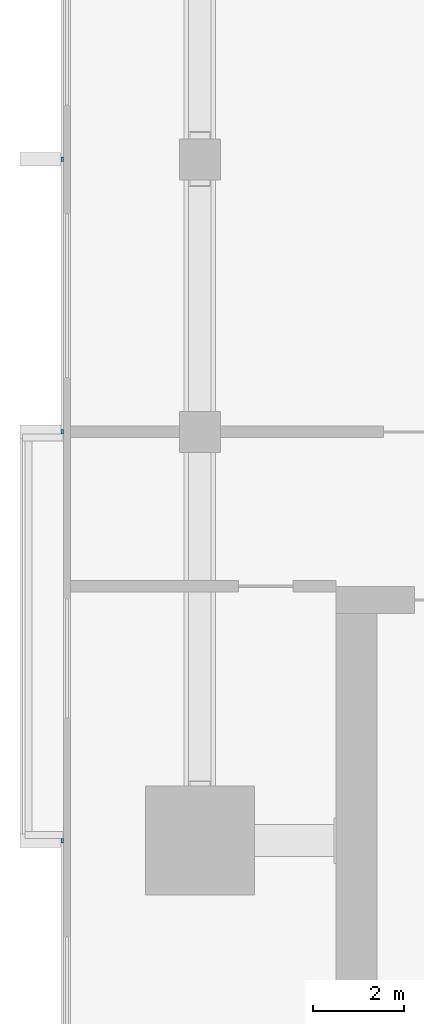
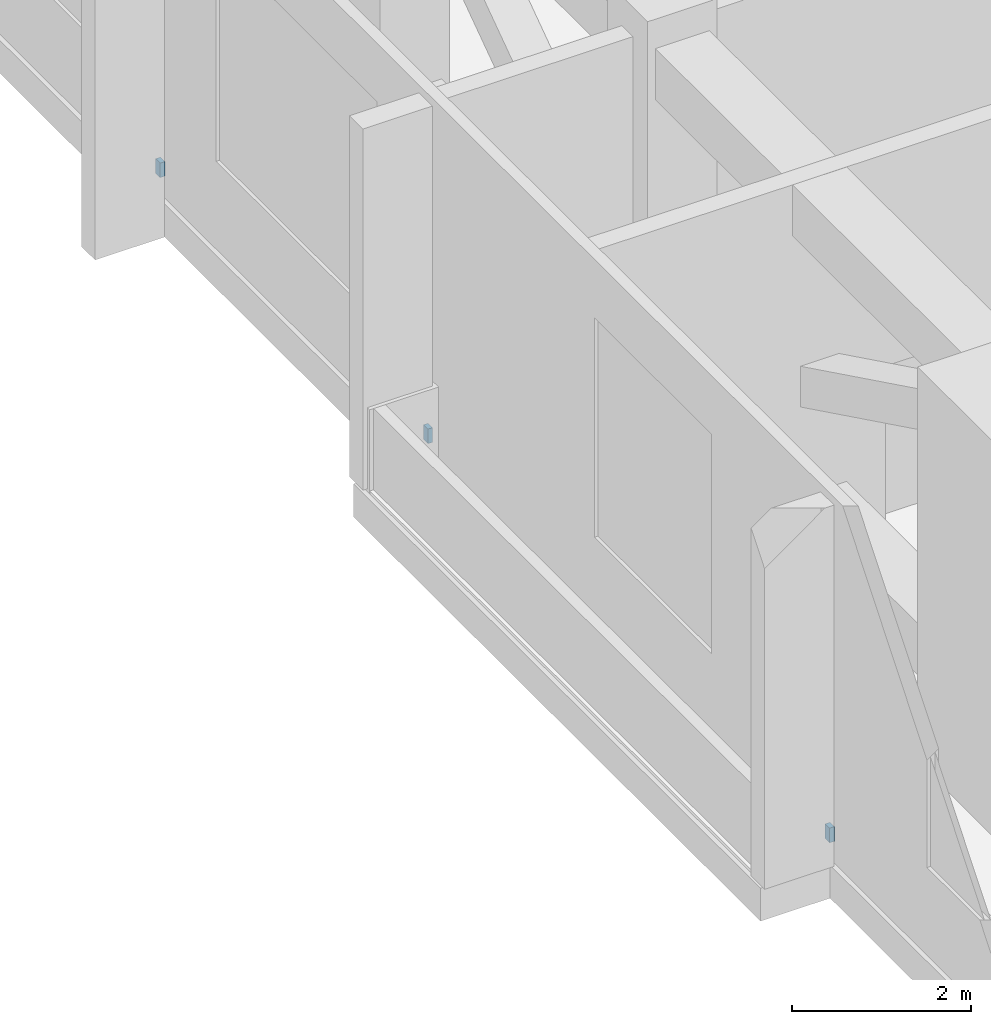
# One storey, part 6 of 11: 3 discrete accessories.
"""IFC4 building model written with IfcOpenShell, lengths in metres."""

from ifc_helpers import new_model, si_unit, direction, frame, origin, origin_2d, place, context, subcontext, project, spatial, rectangle, extrude, material, type_object, element, save


model = new_model("IFC4")

# Units and contexts
model_context = context("Model", 3, precision=1e-05, world=origin(), true_north=direction((0.0, 1.0)))
body_context = subcontext(model_context, "Body", "Model", "MODEL_VIEW")
ifc_project = project(units=[si_unit("LENGTHUNIT", "METRE"), si_unit("AREAUNIT", "SQUARE_METRE"), si_unit("VOLUMEUNIT", "CUBIC_METRE"), si_unit("PLANEANGLEUNIT", "RADIAN"), si_unit("MASSUNIT", "GRAM", prefix="KILO")], contexts=[model_context])

# Site, building, storey
site_placement = place(None, origin())
site = spatial("IfcSite", under=ifc_project, at=site_placement, CompositionType="ELEMENT")
building_placement = place(site_placement, origin())
building = spatial("IfcBuilding", under=site, at=building_placement, Name="Finial Court Residences", CompositionType="ELEMENT")
storey_placement = place(building_placement, frame((0.0, 0.0, 199.699951171875)))
storey = spatial("IfcBuildingStorey", under=building, at=storey_placement, Name="L50", CompositionType="ELEMENT", Elevation=199.699951171875)

# Discrete accessories
ifc_material = material(Name="Stainless steel 316", Category="steel")
discrete_accessory_type = type_object("IfcDiscreteAccessoryType", Name="Fin bracket, stainless steel 100 x 60 x 200", PredefinedType="BRACKET", material=ifc_material)
for number, where, z_axis, x_axis, name in (
    (1, (-19.530029296875, -13.5, 0.30029296875), (0.0, 0.0, 1.0), (1.0, 0.0, 0.0), "E-L50-FIN-W23-BRK"),
    (2, (-19.530029296875, -4.5, 0.30029296875), (0.0, 0.0, 1.0), (1.0, 0.0, 0.0), "E-L50-FIN-W24-BRK"),
    (3, (-19.530029296875, 1.5, 0.30029296875), (0.0, 0.0, 1.0), (1.0, 0.0, 0.0), "E-L50-FIN-W25-BRK"),
):
    element("IfcDiscreteAccessory", number, at=place(storey_placement, frame(where, z_axis=z_axis, x_axis=x_axis)), inside=storey, type_object=discrete_accessory_type, Name=name, PredefinedType="BRACKET", context=body_context, shape_type="SweptSolid", body=[
        extrude(rectangle(XDim=0.06005859375, YDim=0.10009765625, at=origin_2d()), origin(), (0.0, 0.0, 1.0), 0.199951171875),
    ])

save(model, "model.ifc")
